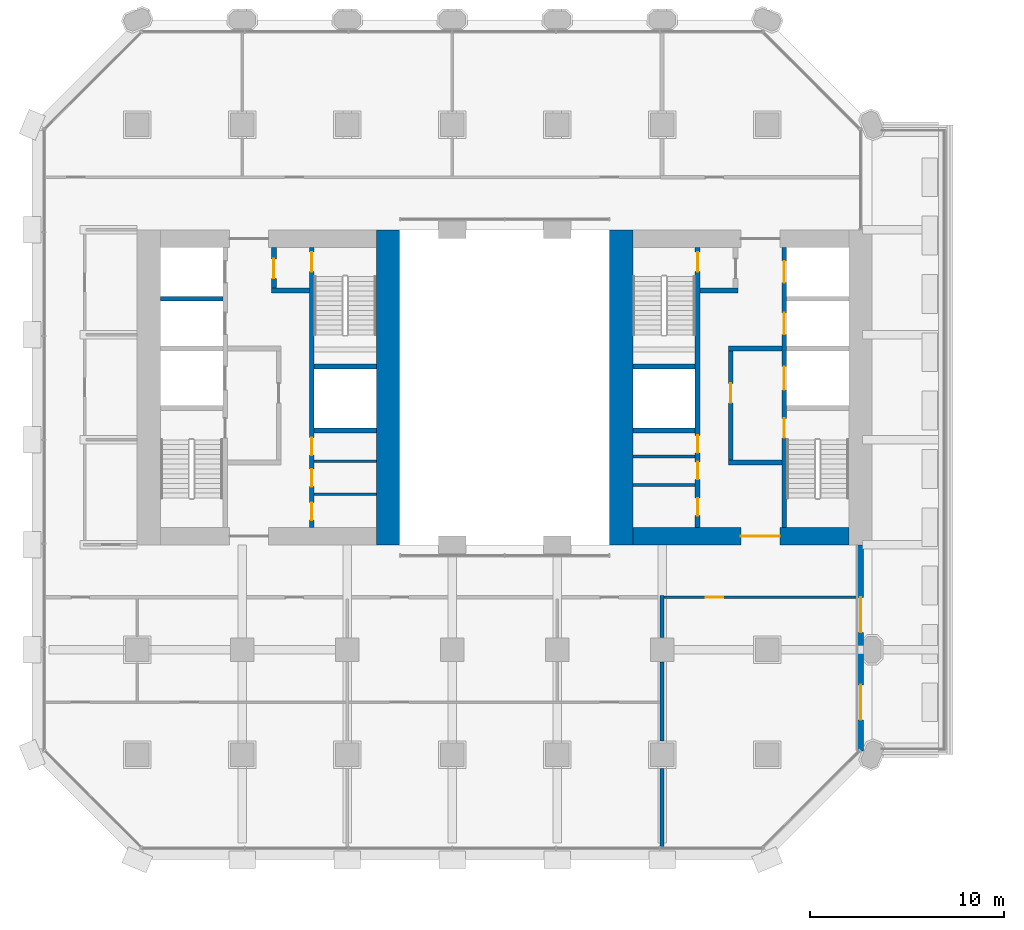
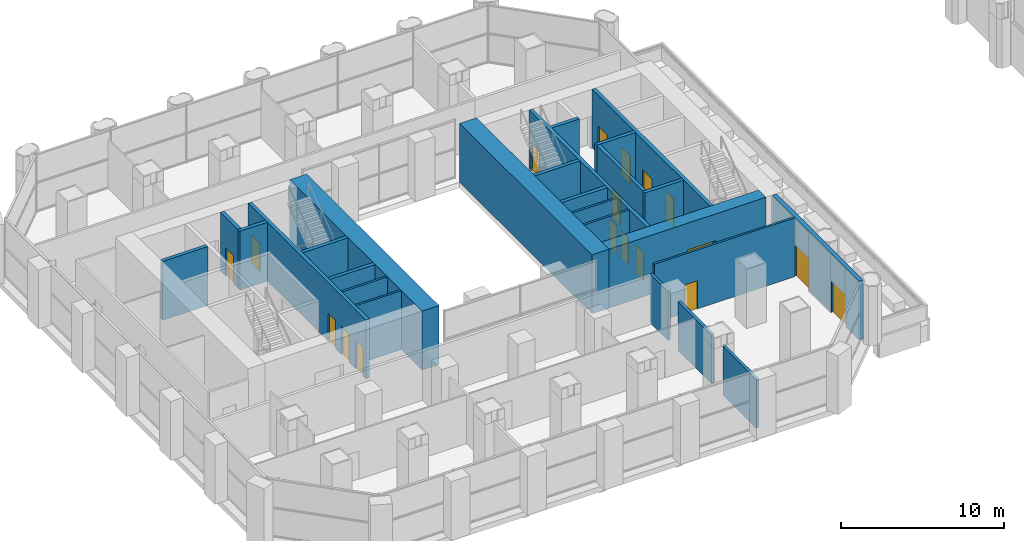
# One storey, part 28 of 42: 26 walls, 18 doors, 18 openings.
"""IFC4 building model written with IfcOpenShell, lengths in metres."""

from ifc_helpers import new_model, si_unit, direction, frame, frame_2d, origin, place, context, subcontext, project, spatial, rectangle, extrude, material, layer, layer_set, type_object, element, fill, save


model = new_model("IFC4")

# Units and contexts
model_context = context("Model", 3, precision=1e-05, world=origin(), true_north=direction((0.0, 1.0)))
body_context = subcontext(model_context, "Body", "Model", "MODEL_VIEW")
ifc_project = project(units=[si_unit("LENGTHUNIT", "METRE"), si_unit("AREAUNIT", "SQUARE_METRE"), si_unit("VOLUMEUNIT", "CUBIC_METRE"), si_unit("PLANEANGLEUNIT", "RADIAN"), si_unit("MASSUNIT", "GRAM", prefix="KILO")], contexts=[model_context])

# Site, building, storey
site_placement = place(None, origin())
site = spatial("IfcSite", under=ifc_project, at=site_placement, CompositionType="ELEMENT")
building_placement = place(site_placement, origin())
building = spatial("IfcBuilding", under=site, at=building_placement, Name="Tabaq Tower and Sports Hall", CompositionType="ELEMENT")
storey_placement = place(building_placement, frame((0.0, 0.0, 19.800048828125)))
storey = spatial("IfcBuildingStorey", under=building, at=storey_placement, Name="L03", CompositionType="ELEMENT", Elevation=19.800048828125)

# Walls
ifc_material_1 = material(Name="Blockwork", Category="masonry")
ifc_layer_1 = layer(ifc_material_1, 0.14990234375)
ifc_layer_set_1 = layer_set([ifc_layer_1], Name="Core room partition 150 Blockwork")
wall_type_1 = type_object("IfcWallType", Name="Core room partition 150 Blockwork", PredefinedType="PARTITIONING", material=ifc_layer_set_1)
for number, where, z_axis, x_axis, name in (
    (1, (14.5, 18.797119140625, 0.0), (0.0, 0.0, 1.0), (1.0, 0.0, 0.0), "Core room partition W L03"),
    (2, (14.5, 20.493896484375, 0.0), (0.0, 0.0, 1.0), (1.0, 0.0, 0.0), "Core room partition W L03"),
):
    element("IfcWall", number, at=place(storey_placement, frame(where, z_axis=z_axis, x_axis=x_axis)), inside=storey, type_object=wall_type_1, Name=name, PredefinedType="PARTITIONING", context=body_context, shape_type="SweptSolid", body=[
        extrude(rectangle(XDim=3.199951171875, YDim=0.14990234375, at=frame_2d((1.60009765625, 0.0))), origin(), (0.0, 0.0, 1.0), 4.39990234375),
    ])
for number, where, z_axis, x_axis, name in (
    (3, (30.89990234375, 19.282958984375, 0.0), (0.0, 0.0, 1.0), (1.0, 0.0, 0.0), "Core room partition E L03"),
    (4, (30.89990234375, 20.738037109375, 0.0), (0.0, 0.0, 1.0), (1.0, 0.0, 0.0), "Core room partition E L03"),
):
    element("IfcWall", number, at=place(storey_placement, frame(where, z_axis=z_axis, x_axis=x_axis)), inside=storey, type_object=wall_type_1, Name=name, PredefinedType="PARTITIONING", context=body_context, shape_type="SweptSolid", body=[
        extrude(rectangle(XDim=3.2001953125, YDim=0.14990234375, at=frame_2d((1.60009765625, 0.0))), origin(), (0.0, 0.0, 1.0), 4.39990234375),
    ])
ifc_material_2 = material(Name="Concrete C60/75", Category="concrete")
ifc_layer_2 = layer(ifc_material_2, 1.199951171875)
ifc_layer_set_2 = layer_set([ifc_layer_2], Name="Core wall 1200 Concrete C60/75")
wall_type_2 = type_object("IfcWallType", Name="Core wall 1200 Concrete C60/75", PredefinedType="SOLIDWALL", material=ifc_layer_set_2)
for number, where, z_axis, x_axis, name in (
    (5, (18.300048828125, 32.39990234375, 0.0), (0.0, 0.0, 1.0), (0.0, -1.0, 0.0), "Core wall W L03"),
    (6, (30.300048828125, 16.199951171875, 0.0), (0.0, 0.0, 1.0), (0.0, 1.0, 0.0), "Core wall E L03"),
):
    element("IfcWall", number, at=place(storey_placement, frame(where, z_axis=z_axis, x_axis=x_axis)), inside=storey, type_object=wall_type_2, Name=name, PredefinedType="SOLIDWALL", context=body_context, shape_type="SweptSolid", body=[
        extrude(rectangle(XDim=16.199951171875, YDim=1.199951171875, at=frame_2d((8.10009765625, 0.0))), origin(), (0.0, 0.0, 1.0), 4.39990234375),
    ])

# Wall, opening, door
ifc_material_3 = material(Name="Concrete C60/75", Category="concrete")
ifc_layer_3 = layer(ifc_material_3, 0.89990234375)
ifc_layer_set_3 = layer_set([ifc_layer_3], Name="Core wall 900 Concrete C60/75")
wall_type_3 = type_object("IfcWallType", Name="Core wall 900 Concrete C60/75", PredefinedType="SOLIDWALL", material=ifc_layer_set_3)
wall_1_placement = place(storey_placement, frame((42.0, 16.64990234375, 0.0), z_axis=(0.0, 0.0, 1.0), x_axis=(-1.0, 0.0, 0.0)))
wall_1 = element("IfcWall", 7, at=wall_1_placement, inside=storey, type_object=wall_type_3, Name="Core wall E L03", PredefinedType="SOLIDWALL", context=body_context, shape_type="SweptSolid", body=[
    extrude(rectangle(XDim=11.10009765625, YDim=0.89990234375, at=frame_2d((5.550048828125, 0.0))), origin(), (0.0, 0.0, 1.0), 4.39990234375),
])
opening_1_placement = place(wall_1_placement, frame((3.550048828125, 0.0, 0.0)))
opening_1 = element("IfcOpeningElement", 8, at=opening_1_placement, cuts=wall_1, Name="Opening PD-EL03-01", PredefinedType="OPENING", context=body_context, shape_type="SweptSolid", body=[
    extrude(rectangle(XDim=2.0, YDim=2.39990234375, at=frame_2d((1.0, 1.199951171875))), frame((0.0, 0.449951171875, 0.0), z_axis=(0.0, -1.0, 0.0), x_axis=(1.0, 0.0, 0.0)), (0.0, 0.0, 1.0), 0.89990234375),
])
ifc_material_4 = material(Name="Steel fire door", Category="steel")
door_type_1 = type_object("IfcDoorType", Name="Core entrance door 2000", OperationType="DOUBLE_DOOR_SINGLE_SWING", PredefinedType="DOOR", material=ifc_material_4)
door_1_placement = place(opening_1_placement, origin())
door_1 = element("IfcDoor", 9, at=door_1_placement, inside=storey, type_object=door_type_1, Name="Core entrance south E L03", OperationType="DOUBLE_DOOR_SINGLE_SWING", OverallHeight=2.39990234375, OverallWidth=2.0, PredefinedType="DOOR", context=body_context, shape_type="SweptSolid", body=[
    extrude(rectangle(XDim=2.0, YDim=2.39990234375, at=frame_2d((1.0, 1.199951171875))), frame((0.0, 0.02490234375, 0.0), z_axis=(0.0, -1.0, 0.0), x_axis=(1.0, 0.0, 0.0)), (0.0, 0.0, 1.0), 0.050048828125),
])
fill(opening_1, door_1)

# Walls
ifc_material_5 = material(Name="Blockwork", Category="masonry")
ifc_layer_4 = layer(ifc_material_5, 0.199951171875)
ifc_layer_set_4 = layer_set([ifc_layer_4], Name="Fire compartment wall 200 Blockwork")
wall_type_4 = type_object("IfcWallType", Name="Fire compartment wall 200 Blockwork", PredefinedType="PARTITIONING", material=ifc_layer_set_4)
wall_2_placement = place(storey_placement, frame((32.39990234375, 13.60009765625, 0.0), z_axis=(0.0, 0.0, 1.0), x_axis=(0.0, -1.0, 0.0)))
element("IfcWall", 10, at=wall_2_placement, inside=storey, type_object=wall_type_4, Name="Compartment wall L03", PredefinedType="PARTITIONING", context=body_context, shape_type="SweptSolid", body=[
    extrude(rectangle(XDim=2.18017578125, YDim=0.199951171875, at=frame_2d((1.090087890625, 0.0))), origin(), (0.0, 0.0, 1.0), 3.64990234375),
])
wall_3_placement = place(storey_placement, frame((32.39990234375, 10.179931640625, 0.0), z_axis=(0.0, 0.0, 1.0), x_axis=(0.0, -1.0, 0.0)))
element("IfcWall", 11, at=wall_3_placement, inside=storey, type_object=wall_type_4, Name="Compartment wall L03", PredefinedType="PARTITIONING", context=body_context, shape_type="SweptSolid", body=[
    extrude(rectangle(XDim=4.079345703125, YDim=0.199951171875, at=frame_2d((2.03955078125, 0.0))), origin(), (0.0, 0.0, 1.0), 3.64990234375),
])
wall_4_placement = place(storey_placement, frame((32.39990234375, 4.69921875, 0.0), z_axis=(0.0, 0.0, 1.0), x_axis=(0.0, -1.0, 0.0)))
element("IfcWall", 12, at=wall_4_placement, inside=storey, type_object=wall_type_4, Name="Compartment wall L03", PredefinedType="PARTITIONING", context=body_context, shape_type="SweptSolid", body=[
    extrude(rectangle(XDim=4.09912109375, YDim=0.199951171875, at=frame_2d((2.049560546875, 0.0))), origin(), (0.0, 0.0, 1.0), 3.64990234375),
])

# Wall, opening, door
ifc_material_6 = material(Name="Blockwork", Category="masonry")
ifc_layer_5 = layer(ifc_material_6, 0.14990234375)
ifc_layer_set_5 = layer_set([ifc_layer_5], Name="Separating wall 150 Blockwork")
wall_type_5 = type_object("IfcWallType", Name="Separating wall 150 Blockwork", PredefinedType="PARTITIONING", material=ifc_layer_set_5)
wall_5_placement = place(storey_placement, frame((42.448974609375, 13.5, 0.0), z_axis=(0.0, 0.0, 1.0), x_axis=(-1.0, 0.0, 0.0)))
wall_5 = element("IfcWall", 13, at=wall_5_placement, inside=storey, type_object=wall_type_5, Name="Separating wall L03", PredefinedType="PARTITIONING", context=body_context, shape_type="SweptSolid", body=[
    extrude(rectangle(XDim=9.948974609375, YDim=0.14990234375, at=frame_2d((4.974609375, 0.0))), origin(), (0.0, 0.0, 1.0), 4.39990234375),
])
opening_2_placement = place(wall_5_placement, frame((6.89892578125, 0.0, 0.0)))
opening_2 = element("IfcOpeningElement", 14, at=opening_2_placement, cuts=wall_5, Name="Opening L03-001", PredefinedType="OPENING", context=body_context, shape_type="SweptSolid", body=[
    extrude(rectangle(XDim=0.89990234375, YDim=2.10009765625, at=frame_2d((0.449951171875, 1.050048828125))), frame((0.0, 0.074951171875, 0.0), z_axis=(0.0, -1.0, 0.0), x_axis=(1.0, 0.0, 0.0)), (0.0, 0.0, 1.0), 0.14990234375),
])
ifc_material_7 = material(Name="Timber leaf in steel frame", Category="steel")
door_type_2 = type_object("IfcDoorType", Name="Internal door 900 right hand", OperationType="SINGLE_SWING_RIGHT", PredefinedType="DOOR", material=ifc_material_7)
door_2_placement = place(opening_2_placement, origin())
door_2 = element("IfcDoor", 15, at=door_2_placement, inside=storey, type_object=door_type_2, Name="Internal door L03-001", OperationType="SINGLE_SWING_RIGHT", OverallHeight=2.10009765625, OverallWidth=0.89990234375, PredefinedType="DOOR", context=body_context, shape_type="SweptSolid", body=[
    extrude(rectangle(XDim=0.89990234375, YDim=2.10009765625, at=frame_2d((0.449951171875, 1.050048828125))), frame((0.0, 0.02490234375, 0.0), z_axis=(0.0, -1.0, 0.0), x_axis=(1.0, 0.0, 0.0)), (0.0, 0.0, 1.0), 0.050048828125),
])
fill(opening_2, door_2)

# Wall, openings, doors
ifc_material_8 = material(Name="Concrete C40/50", Category="concrete")
ifc_layer_6 = layer(ifc_material_8, 0.25)
ifc_layer_set_6 = layer_set([ifc_layer_6], Name="Shaft and stair wall 250 Concrete C40/50")
wall_type_6 = type_object("IfcWallType", Name="Shaft and stair wall 250 Concrete C40/50", PredefinedType="SOLIDWALL", material=ifc_layer_set_6)
wall_6_placement = place(storey_placement, frame((14.375, 17.10009765625, 0.0), z_axis=(0.0, 0.0, 1.0), x_axis=(0.0, 1.0, 0.0)))
wall_6 = element("IfcWall", 16, at=wall_6_placement, inside=storey, type_object=wall_type_6, Name="Shaft wall W L03", PredefinedType="SOLIDWALL", context=body_context, shape_type="SweptSolid", body=[
    extrude(rectangle(XDim=14.39990234375, YDim=0.25, at=frame_2d((7.199951171875, 0.0))), origin(), (0.0, 0.0, 1.0), 4.39990234375),
])
opening_3_placement = place(wall_6_placement, frame((13.14990234375, 0.0, 0.0)))
opening_3 = element("IfcOpeningElement", 17, at=opening_3_placement, cuts=wall_6, Name="Opening SD-WL03-05", PredefinedType="OPENING", context=body_context, shape_type="SweptSolid", body=[
    extrude(rectangle(XDim=1.0, YDim=2.10009765625, at=frame_2d((0.5, 1.050048828125))), frame((0.0, 0.125, 0.0), z_axis=(0.0, -1.0, 0.0), x_axis=(1.0, 0.0, 0.0)), (0.0, 0.0, 1.0), 0.25),
])
opening_4_placement = place(wall_6_placement, frame((0.361083984375, 0.0, 0.0)))
opening_4 = element("IfcOpeningElement", 18, at=opening_4_placement, cuts=wall_6, Name="Opening RD-WL03-10", PredefinedType="OPENING", context=body_context, shape_type="SweptSolid", body=[
    extrude(rectangle(XDim=0.89990234375, YDim=2.10009765625, at=frame_2d((0.449951171875, 1.050048828125))), frame((0.0, 0.125, 0.0), z_axis=(0.0, -1.0, 0.0), x_axis=(1.0, 0.0, 0.0)), (0.0, 0.0, 1.0), 0.25),
])
opening_5_placement = place(wall_6_placement, frame((2.095458984375, 0.0, 0.0)))
opening_5 = element("IfcOpeningElement", 19, at=opening_5_placement, cuts=wall_6, Name="Opening RD-WL03-11", PredefinedType="OPENING", context=body_context, shape_type="SweptSolid", body=[
    extrude(rectangle(XDim=0.89990234375, YDim=2.10009765625, at=frame_2d((0.449951171875, 1.050048828125))), frame((0.0, 0.125, 0.0), z_axis=(0.0, -1.0, 0.0), x_axis=(1.0, 0.0, 0.0)), (0.0, 0.0, 1.0), 0.25),
])
opening_6_placement = place(wall_6_placement, frame((3.70947265625, 0.0, 0.0)))
opening_6 = element("IfcOpeningElement", 20, at=opening_6_placement, cuts=wall_6, Name="Opening RD-WL03-12", PredefinedType="OPENING", context=body_context, shape_type="SweptSolid", body=[
    extrude(rectangle(XDim=0.89990234375, YDim=2.10009765625, at=frame_2d((0.449951171875, 1.050048828125))), frame((0.0, 0.125, 0.0), z_axis=(0.0, -1.0, 0.0), x_axis=(1.0, 0.0, 0.0)), (0.0, 0.0, 1.0), 0.25),
])
ifc_material_9 = material(Name="Steel fire door", Category="steel")
door_type_3 = type_object("IfcDoorType", Name="Core room door 900", OperationType="SINGLE_SWING_LEFT", PredefinedType="DOOR", material=ifc_material_9)
door_3_placement = place(opening_4_placement, origin())
door_3 = element("IfcDoor", 21, at=door_3_placement, inside=storey, type_object=door_type_3, Name="Door Accessible WC W L03", OperationType="SINGLE_SWING_LEFT", OverallHeight=2.10009765625, OverallWidth=0.89990234375, PredefinedType="DOOR", context=body_context, shape_type="SweptSolid", body=[
    extrude(rectangle(XDim=0.89990234375, YDim=2.10009765625, at=frame_2d((0.449951171875, 1.050048828125))), frame((0.0, 0.02490234375, 0.0), z_axis=(0.0, -1.0, 0.0), x_axis=(1.0, 0.0, 0.0)), (0.0, 0.0, 1.0), 0.050048828125),
])
fill(opening_4, door_3)
door_4_placement = place(opening_5_placement, origin())
door_4 = element("IfcDoor", 22, at=door_4_placement, inside=storey, type_object=door_type_3, Name="Door Unisex WC W L03", OperationType="SINGLE_SWING_LEFT", OverallHeight=2.10009765625, OverallWidth=0.89990234375, PredefinedType="DOOR", context=body_context, shape_type="SweptSolid", body=[
    extrude(rectangle(XDim=0.89990234375, YDim=2.10009765625, at=frame_2d((0.449951171875, 1.050048828125))), frame((0.0, 0.02490234375, 0.0), z_axis=(0.0, -1.0, 0.0), x_axis=(1.0, 0.0, 0.0)), (0.0, 0.0, 1.0), 0.050048828125),
])
fill(opening_5, door_4)
door_5_placement = place(opening_6_placement, origin())
door_5 = element("IfcDoor", 23, at=door_5_placement, inside=storey, type_object=door_type_3, Name="Door Cleaner's Store W L03", OperationType="SINGLE_SWING_LEFT", OverallHeight=2.10009765625, OverallWidth=0.89990234375, PredefinedType="DOOR", context=body_context, shape_type="SweptSolid", body=[
    extrude(rectangle(XDim=0.89990234375, YDim=2.10009765625, at=frame_2d((0.449951171875, 1.050048828125))), frame((0.0, 0.02490234375, 0.0), z_axis=(0.0, -1.0, 0.0), x_axis=(1.0, 0.0, 0.0)), (0.0, 0.0, 1.0), 0.050048828125),
])
fill(opening_6, door_5)
ifc_material_10 = material(Name="Steel fire door", Category="steel")
door_type_4 = type_object("IfcDoorType", Name="Stair door 1000", OperationType="SINGLE_SWING_LEFT", PredefinedType="DOOR", material=ifc_material_10)
door_6_placement = place(opening_3_placement, origin())
door_6 = element("IfcDoor", 24, at=door_6_placement, inside=storey, type_object=door_type_4, Name="Stair door ST2 W L03", OperationType="SINGLE_SWING_LEFT", OverallHeight=2.10009765625, OverallWidth=1.0, PredefinedType="DOOR", context=body_context, shape_type="SweptSolid", body=[
    extrude(rectangle(XDim=1.0, YDim=2.10009765625, at=frame_2d((0.5, 1.050048828125))), frame((0.0, 0.02490234375, 0.0), z_axis=(0.0, -1.0, 0.0), x_axis=(1.0, 0.0, 0.0)), (0.0, 0.0, 1.0), 0.050048828125),
])
fill(opening_3, door_6)

# Walls
for number, where, z_axis, x_axis, name in (
    (25, (14.5, 25.375, 0.0), (0.0, 0.0, 1.0), (1.0, 0.0, 0.0), "Stair enclosure wall W L03"),
    (26, (14.5, 22.074951171875, 0.0), (0.0, 0.0, 1.0), (1.0, 0.0, 0.0), "Shaft wall W L03"),
):
    element("IfcWall", number, at=place(storey_placement, frame(where, z_axis=z_axis, x_axis=x_axis)), inside=storey, type_object=wall_type_6, Name=name, PredefinedType="SOLIDWALL", context=body_context, shape_type="SweptSolid", body=[
        extrude(rectangle(XDim=3.199951171875, YDim=0.25, at=frame_2d((1.60009765625, 0.0))), origin(), (0.0, 0.0, 1.0), 4.39990234375),
    ])

# Wall, opening, door
wall_7_placement = place(storey_placement, frame((12.425048828125, 29.39990234375, 0.0), z_axis=(0.0, 0.0, 1.0), x_axis=(0.0, 1.0, 0.0)))
wall_7 = element("IfcWall", 27, at=wall_7_placement, inside=storey, type_object=wall_type_6, Name="Fire-fighting lobby wall W L03", PredefinedType="SOLIDWALL", context=body_context, shape_type="SweptSolid", body=[
    extrude(rectangle(XDim=2.10009765625, YDim=0.25, at=frame_2d((1.050048828125, 0.0))), origin(), (0.0, 0.0, 1.0), 4.39990234375),
])
opening_7_placement = place(wall_7_placement, frame((0.5, 0.0, 0.0)))
opening_7 = element("IfcOpeningElement", 28, at=opening_7_placement, cuts=wall_7, Name="Opening FD-WL03-06", PredefinedType="OPENING", context=body_context, shape_type="SweptSolid", body=[
    extrude(rectangle(XDim=1.0, YDim=2.10009765625, at=frame_2d((0.5, 1.050048828125))), frame((0.0, 0.125, 0.0), z_axis=(0.0, -1.0, 0.0), x_axis=(1.0, 0.0, 0.0)), (0.0, 0.0, 1.0), 0.25),
])
ifc_material_11 = material(Name="Steel fire door", Category="steel")
door_type_5 = type_object("IfcDoorType", Name="Fire-fighting lobby door 1000", OperationType="SINGLE_SWING_LEFT", PredefinedType="DOOR", material=ifc_material_11)
door_7_placement = place(opening_7_placement, origin())
door_7 = element("IfcDoor", 29, at=door_7_placement, inside=storey, type_object=door_type_5, Name="Stair lobby door W L03", OperationType="SINGLE_SWING_LEFT", OverallHeight=2.10009765625, OverallWidth=1.0, PredefinedType="DOOR", context=body_context, shape_type="SweptSolid", body=[
    extrude(rectangle(XDim=1.0, YDim=2.10009765625, at=frame_2d((0.5, 1.050048828125))), frame((0.0, 0.02490234375, 0.0), z_axis=(0.0, -1.0, 0.0), x_axis=(1.0, 0.0, 0.0)), (0.0, 0.0, 1.0), 0.050048828125),
])
fill(opening_7, door_7)

# Walls
wall_8_placement = place(storey_placement, frame((12.300048828125, 29.27490234375, 0.0), z_axis=(0.0, 0.0, 1.0), x_axis=(1.0, 0.0, 0.0)))
element("IfcWall", 30, at=wall_8_placement, inside=storey, type_object=wall_type_6, Name="Fire-fighting lobby wall W L03", PredefinedType="SOLIDWALL", context=body_context, shape_type="SweptSolid", body=[
    extrude(rectangle(XDim=1.949951171875, YDim=0.25, at=frame_2d((0.97509765625, 0.0))), origin(), (0.0, 0.0, 1.0), 4.39990234375),
])
wall_9_placement = place(storey_placement, frame((6.60009765625, 28.85009765625, 0.0), z_axis=(0.0, 0.0, 1.0), x_axis=(1.0, 0.0, 0.0)))
element("IfcWall", 31, at=wall_9_placement, inside=storey, type_object=wall_type_6, Name="Shaft wall W L03", PredefinedType="SOLIDWALL", context=body_context, shape_type="SweptSolid", body=[
    extrude(rectangle(XDim=3.199951171875, YDim=0.25, at=frame_2d((1.60009765625, 0.0))), origin(), (0.0, 0.0, 1.0), 4.39990234375),
])

# Wall, openings, doors
wall_10_placement = place(storey_placement, frame((38.675048828125, 17.10009765625, 0.0), z_axis=(0.0, 0.0, 1.0), x_axis=(0.0, 1.0, 0.0)))
wall_10 = element("IfcWall", 32, at=wall_10_placement, inside=storey, type_object=wall_type_6, Name="Shaft wall E L03", PredefinedType="SOLIDWALL", context=body_context, shape_type="SweptSolid", body=[
    extrude(rectangle(XDim=14.39990234375, YDim=0.25, at=frame_2d((7.199951171875, 0.0))), origin(), (0.0, 0.0, 1.0), 4.39990234375),
])
opening_8_placement = place(wall_10_placement, frame((4.60009765625, 0.0, 0.0)))
opening_8 = element("IfcOpeningElement", 33, at=opening_8_placement, cuts=wall_10, Name="Opening SD-EL03-03", PredefinedType="OPENING", context=body_context, shape_type="SweptSolid", body=[
    extrude(rectangle(XDim=1.0, YDim=2.10009765625, at=frame_2d((0.5, 1.050048828125))), frame((0.0, 0.125, 0.0), z_axis=(0.0, -1.0, 0.0), x_axis=(1.0, 0.0, 0.0)), (0.0, 0.0, 1.0), 0.25),
])
opening_9_placement = place(wall_10_placement, frame((7.0625, 0.0, 0.0)))
opening_9 = element("IfcOpeningElement", 34, at=opening_9_placement, cuts=wall_10, Name="Opening LD-FF2-L03", PredefinedType="OPENING", context=body_context, shape_type="SweptSolid", body=[
    extrude(rectangle(XDim=1.199951171875, YDim=2.10009765625, at=frame_2d((0.60009765625, 1.050048828125))), frame((0.0, 0.125, 0.0), z_axis=(0.0, -1.0, 0.0), x_axis=(1.0, 0.0, 0.0)), (0.0, 0.0, 1.0), 0.25),
])
opening_10_placement = place(wall_10_placement, frame((9.925048828125, 0.0, 0.0)))
opening_10 = element("IfcOpeningElement", 35, at=opening_10_placement, cuts=wall_10, Name="Opening LD-LR3-L03", PredefinedType="OPENING", context=body_context, shape_type="SweptSolid", body=[
    extrude(rectangle(XDim=1.10009765625, YDim=2.10009765625, at=frame_2d((0.550048828125, 1.050048828125))), frame((0.0, 0.125, 0.0), z_axis=(0.0, -1.0, 0.0), x_axis=(1.0, 0.0, 0.0)), (0.0, 0.0, 1.0), 0.25),
])
opening_11_placement = place(wall_10_placement, frame((12.58740234375, 0.0, 0.0)))
opening_11 = element("IfcOpeningElement", 36, at=opening_11_placement, cuts=wall_10, Name="Opening LD-LR4-L03", PredefinedType="OPENING", context=body_context, shape_type="SweptSolid", body=[
    extrude(rectangle(XDim=1.10009765625, YDim=2.10009765625, at=frame_2d((0.550048828125, 1.050048828125))), frame((0.0, 0.125, 0.0), z_axis=(0.0, -1.0, 0.0), x_axis=(1.0, 0.0, 0.0)), (0.0, 0.0, 1.0), 0.25),
])
ifc_material_12 = material(Name="Stainless steel", Category="steel")
door_type_6 = type_object("IfcDoorType", Name="Lift landing door 1100", OperationType="DOUBLE_DOOR_SLIDING", PredefinedType="DOOR", material=ifc_material_12)
door_8_placement = place(opening_10_placement, origin())
door_8 = element("IfcDoor", 37, at=door_8_placement, inside=storey, type_object=door_type_6, Name="Lift landing door LR3 E L03", OperationType="DOUBLE_DOOR_SLIDING", OverallHeight=2.10009765625, OverallWidth=1.10009765625, PredefinedType="DOOR", context=body_context, shape_type="SweptSolid", body=[
    extrude(rectangle(XDim=1.10009765625, YDim=2.10009765625, at=frame_2d((0.550048828125, 1.050048828125))), frame((0.0, 0.02490234375, 0.0), z_axis=(0.0, -1.0, 0.0), x_axis=(1.0, 0.0, 0.0)), (0.0, 0.0, 1.0), 0.050048828125),
])
fill(opening_10, door_8)
door_9_placement = place(opening_11_placement, origin())
door_9 = element("IfcDoor", 38, at=door_9_placement, inside=storey, type_object=door_type_6, Name="Lift landing door LR4 E L03", OperationType="DOUBLE_DOOR_SLIDING", OverallHeight=2.10009765625, OverallWidth=1.10009765625, PredefinedType="DOOR", context=body_context, shape_type="SweptSolid", body=[
    extrude(rectangle(XDim=1.10009765625, YDim=2.10009765625, at=frame_2d((0.550048828125, 1.050048828125))), frame((0.0, 0.02490234375, 0.0), z_axis=(0.0, -1.0, 0.0), x_axis=(1.0, 0.0, 0.0)), (0.0, 0.0, 1.0), 0.050048828125),
])
fill(opening_11, door_9)
ifc_material_13 = material(Name="Stainless steel", Category="steel")
door_type_7 = type_object("IfcDoorType", Name="Lift landing door 1200", OperationType="DOUBLE_DOOR_SLIDING", PredefinedType="DOOR", material=ifc_material_13)
door_10_placement = place(opening_9_placement, origin())
door_10 = element("IfcDoor", 39, at=door_10_placement, inside=storey, type_object=door_type_7, Name="Lift landing door FF2 E L03", OperationType="DOUBLE_DOOR_SLIDING", OverallHeight=2.10009765625, OverallWidth=1.199951171875, PredefinedType="DOOR", context=body_context, shape_type="SweptSolid", body=[
    extrude(rectangle(XDim=1.199951171875, YDim=2.10009765625, at=frame_2d((0.60009765625, 1.050048828125))), frame((0.0, 0.02490234375, 0.0), z_axis=(0.0, -1.0, 0.0), x_axis=(1.0, 0.0, 0.0)), (0.0, 0.0, 1.0), 0.050048828125),
])
fill(opening_9, door_10)
door_11_placement = place(opening_8_placement, origin())
door_11 = element("IfcDoor", 40, at=door_11_placement, inside=storey, type_object=door_type_4, Name="Stair door ST3 E L03", OperationType="SINGLE_SWING_LEFT", OverallHeight=2.10009765625, OverallWidth=1.0, PredefinedType="DOOR", context=body_context, shape_type="SweptSolid", body=[
    extrude(rectangle(XDim=1.0, YDim=2.10009765625, at=frame_2d((0.5, 1.050048828125))), frame((0.0, 0.02490234375, 0.0), z_axis=(0.0, -1.0, 0.0), x_axis=(1.0, 0.0, 0.0)), (0.0, 0.0, 1.0), 0.050048828125),
])
fill(opening_8, door_11)

wall_11_placement = place(storey_placement, frame((34.22509765625, 17.10009765625, 0.0), z_axis=(0.0, 0.0, 1.0), x_axis=(0.0, 1.0, 0.0)))
wall_11 = element("IfcWall", 41, at=wall_11_placement, inside=storey, type_object=wall_type_6, Name="Shaft wall E L03", PredefinedType="SOLIDWALL", context=body_context, shape_type="SweptSolid", body=[
    extrude(rectangle(XDim=14.39990234375, YDim=0.25, at=frame_2d((7.199951171875, 0.0))), origin(), (0.0, 0.0, 1.0), 4.39990234375),
])
opening_12_placement = place(wall_11_placement, frame((13.14990234375, 0.0, 0.0)))
opening_12 = element("IfcOpeningElement", 42, at=opening_12_placement, cuts=wall_11, Name="Opening SD-EL03-05", PredefinedType="OPENING", context=body_context, shape_type="SweptSolid", body=[
    extrude(rectangle(XDim=1.0, YDim=2.10009765625, at=frame_2d((0.5, 1.050048828125))), frame((0.0, 0.125, 0.0), z_axis=(0.0, -1.0, 0.0), x_axis=(1.0, 0.0, 0.0)), (0.0, 0.0, 1.0), 0.25),
])
opening_13_placement = place(wall_11_placement, frame((0.60400390625, 0.0, 0.0)))
opening_13 = element("IfcOpeningElement", 43, at=opening_13_placement, cuts=wall_11, Name="Opening RD-EL03-10", PredefinedType="OPENING", context=body_context, shape_type="SweptSolid", body=[
    extrude(rectangle(XDim=0.89990234375, YDim=2.10009765625, at=frame_2d((0.449951171875, 1.050048828125))), frame((0.0, 0.125, 0.0), z_axis=(0.0, -1.0, 0.0), x_axis=(1.0, 0.0, 0.0)), (0.0, 0.0, 1.0), 0.25),
])
opening_14_placement = place(wall_11_placement, frame((2.46044921875, 0.0, 0.0)))
opening_14 = element("IfcOpeningElement", 44, at=opening_14_placement, cuts=wall_11, Name="Opening RD-EL03-11", PredefinedType="OPENING", context=body_context, shape_type="SweptSolid", body=[
    extrude(rectangle(XDim=0.89990234375, YDim=2.10009765625, at=frame_2d((0.449951171875, 1.050048828125))), frame((0.0, 0.125, 0.0), z_axis=(0.0, -1.0, 0.0), x_axis=(1.0, 0.0, 0.0)), (0.0, 0.0, 1.0), 0.25),
])
opening_15_placement = place(wall_11_placement, frame((3.83154296875, 0.0, 0.0)))
opening_15 = element("IfcOpeningElement", 45, at=opening_15_placement, cuts=wall_11, Name="Opening RD-EL03-12", PredefinedType="OPENING", context=body_context, shape_type="SweptSolid", body=[
    extrude(rectangle(XDim=0.89990234375, YDim=2.10009765625, at=frame_2d((0.449951171875, 1.050048828125))), frame((0.0, 0.125, 0.0), z_axis=(0.0, -1.0, 0.0), x_axis=(1.0, 0.0, 0.0)), (0.0, 0.0, 1.0), 0.25),
])
door_12_placement = place(opening_13_placement, origin())
door_12 = element("IfcDoor", 46, at=door_12_placement, inside=storey, type_object=door_type_3, Name="Door Unisex WC E L03", OperationType="SINGLE_SWING_LEFT", OverallHeight=2.10009765625, OverallWidth=0.89990234375, PredefinedType="DOOR", context=body_context, shape_type="SweptSolid", body=[
    extrude(rectangle(XDim=0.89990234375, YDim=2.10009765625, at=frame_2d((0.449951171875, 1.050048828125))), frame((0.0, 0.02490234375, 0.0), z_axis=(0.0, -1.0, 0.0), x_axis=(1.0, 0.0, 0.0)), (0.0, 0.0, 1.0), 0.050048828125),
])
fill(opening_13, door_12)
door_13_placement = place(opening_14_placement, origin())
door_13 = element("IfcDoor", 47, at=door_13_placement, inside=storey, type_object=door_type_3, Name="Door Accessible WC E L03", OperationType="SINGLE_SWING_LEFT", OverallHeight=2.10009765625, OverallWidth=0.89990234375, PredefinedType="DOOR", context=body_context, shape_type="SweptSolid", body=[
    extrude(rectangle(XDim=0.89990234375, YDim=2.10009765625, at=frame_2d((0.449951171875, 1.050048828125))), frame((0.0, 0.02490234375, 0.0), z_axis=(0.0, -1.0, 0.0), x_axis=(1.0, 0.0, 0.0)), (0.0, 0.0, 1.0), 0.050048828125),
])
fill(opening_14, door_13)
door_14_placement = place(opening_15_placement, origin())
door_14 = element("IfcDoor", 48, at=door_14_placement, inside=storey, type_object=door_type_3, Name="Door Electrical Riser Room E L03", OperationType="SINGLE_SWING_LEFT", OverallHeight=2.10009765625, OverallWidth=0.89990234375, PredefinedType="DOOR", context=body_context, shape_type="SweptSolid", body=[
    extrude(rectangle(XDim=0.89990234375, YDim=2.10009765625, at=frame_2d((0.449951171875, 1.050048828125))), frame((0.0, 0.02490234375, 0.0), z_axis=(0.0, -1.0, 0.0), x_axis=(1.0, 0.0, 0.0)), (0.0, 0.0, 1.0), 0.050048828125),
])
fill(opening_15, door_14)
door_15_placement = place(opening_12_placement, origin())
door_15 = element("IfcDoor", 49, at=door_15_placement, inside=storey, type_object=door_type_4, Name="Stair door ST4 E L03", OperationType="SINGLE_SWING_LEFT", OverallHeight=2.10009765625, OverallWidth=1.0, PredefinedType="DOOR", context=body_context, shape_type="SweptSolid", body=[
    extrude(rectangle(XDim=1.0, YDim=2.10009765625, at=frame_2d((0.5, 1.050048828125))), frame((0.0, 0.02490234375, 0.0), z_axis=(0.0, -1.0, 0.0), x_axis=(1.0, 0.0, 0.0)), (0.0, 0.0, 1.0), 0.050048828125),
])
fill(opening_12, door_15)

# Walls
for number, where, z_axis, x_axis, name in (
    (50, (30.89990234375, 25.375, 0.0), (0.0, 0.0, 1.0), (1.0, 0.0, 0.0), "Stair enclosure wall E L03"),
    (51, (30.89990234375, 22.074951171875, 0.0), (0.0, 0.0, 1.0), (1.0, 0.0, 0.0), "Shaft wall E L03"),
):
    element("IfcWall", number, at=place(storey_placement, frame(where, z_axis=z_axis, x_axis=x_axis)), inside=storey, type_object=wall_type_6, Name=name, PredefinedType="SOLIDWALL", context=body_context, shape_type="SweptSolid", body=[
        extrude(rectangle(XDim=3.2001953125, YDim=0.25, at=frame_2d((1.60009765625, 0.0))), origin(), (0.0, 0.0, 1.0), 4.39990234375),
    ])
for number, where, z_axis, x_axis, name in (
    (52, (35.800048828125, 26.300048828125, 0.0), (0.0, 0.0, 1.0), (1.0, 0.0, 0.0), "Fire-fighting lobby wall E L03"),
    (53, (35.800048828125, 20.425048828125, 0.0), (0.0, 0.0, 1.0), (1.0, 0.0, 0.0), "Fire-fighting lobby wall E L03"),
):
    element("IfcWall", number, at=place(storey_placement, frame(where, z_axis=z_axis, x_axis=x_axis)), inside=storey, type_object=wall_type_6, Name=name, PredefinedType="SOLIDWALL", context=body_context, shape_type="SweptSolid", body=[
        extrude(rectangle(XDim=2.75, YDim=0.25, at=frame_2d((1.375, 0.0))), origin(), (0.0, 0.0, 1.0), 4.39990234375),
    ])
wall_12_placement = place(storey_placement, frame((34.35009765625, 29.27490234375, 0.0), z_axis=(0.0, 0.0, 1.0), x_axis=(1.0, 0.0, 0.0)))
element("IfcWall", 54, at=wall_12_placement, inside=storey, type_object=wall_type_6, Name="Fire-fighting lobby wall E L03", PredefinedType="SOLIDWALL", context=body_context, shape_type="SweptSolid", body=[
    extrude(rectangle(XDim=1.949951171875, YDim=0.25, at=frame_2d((0.97509765625, 0.0))), origin(), (0.0, 0.0, 1.0), 4.39990234375),
])

# Wall, opening, door
wall_13_placement = place(storey_placement, frame((35.925048828125, 20.550048828125, 0.0), z_axis=(0.0, 0.0, 1.0), x_axis=(0.0, 1.0, 0.0)))
wall_13 = element("IfcWall", 55, at=wall_13_placement, inside=storey, type_object=wall_type_6, Name="Fire-fighting lobby wall E L03", PredefinedType="SOLIDWALL", context=body_context, shape_type="SweptSolid", body=[
    extrude(rectangle(XDim=5.625, YDim=0.25, at=frame_2d((2.8125, 0.0))), origin(), (0.0, 0.0, 1.0), 4.39990234375),
])
opening_16_placement = place(wall_13_placement, frame((2.949951171875, 0.0, 0.0)))
opening_16 = element("IfcOpeningElement", 56, at=opening_16_placement, cuts=wall_13, Name="Opening FD-EL03-04", PredefinedType="OPENING", context=body_context, shape_type="SweptSolid", body=[
    extrude(rectangle(XDim=1.0, YDim=2.10009765625, at=frame_2d((0.5, 1.050048828125))), frame((0.0, 0.125, 0.0), z_axis=(0.0, -1.0, 0.0), x_axis=(1.0, 0.0, 0.0)), (0.0, 0.0, 1.0), 0.25),
])
door_16_placement = place(opening_16_placement, origin())
door_16 = element("IfcDoor", 57, at=door_16_placement, inside=storey, type_object=door_type_5, Name="Fire-fighting lobby door E L03", OperationType="SINGLE_SWING_LEFT", OverallHeight=2.10009765625, OverallWidth=1.0, PredefinedType="DOOR", context=body_context, shape_type="SweptSolid", body=[
    extrude(rectangle(XDim=1.0, YDim=2.10009765625, at=frame_2d((0.5, 1.050048828125))), frame((0.0, 0.02490234375, 0.0), z_axis=(0.0, -1.0, 0.0), x_axis=(1.0, 0.0, 0.0)), (0.0, 0.0, 1.0), 0.050048828125),
])
fill(opening_16, door_16)

# Wall, openings, doors
ifc_material_14 = material(Name="White precast concrete C60/75", Category="concrete")
ifc_layer_7 = layer(ifc_material_14, 0.300048828125)
ifc_layer_set_7 = layer_set([ifc_layer_7], Name="White precast concrete C60/75 external wall 300")
wall_type_7 = type_object("IfcWallType", Name="White precast concrete C60/75 external wall 300", PredefinedType="SOLIDWALL", material=ifc_layer_set_7)
wall_14_placement = place(storey_placement, frame((42.60009765625, 5.58642578125, 0.0), z_axis=(0.0, 0.0, 1.0), x_axis=(0.0, 1.0, 0.0)))
wall_14 = element("IfcWall", 58, at=wall_14_placement, inside=storey, type_object=wall_type_7, Name="External Wall L03 E", PredefinedType="SOLIDWALL", context=body_context, shape_type="SweptSolid", body=[
    extrude(rectangle(XDim=10.613525390625, YDim=0.300048828125, at=frame_2d((5.306640625, 0.0))), origin(), (0.0, 0.0, 1.0), 4.39990234375),
])
opening_17_placement = place(wall_14_placement, frame((1.613525390625, 0.0, 0.0)))
opening_17 = element("IfcOpeningElement", 59, at=opening_17_placement, cuts=wall_14, Name="Opening TD0301", PredefinedType="OPENING", context=body_context, shape_type="SweptSolid", body=[
    extrude(rectangle(XDim=1.800048828125, YDim=2.39990234375, at=frame_2d((0.89990234375, 1.199951171875))), frame((0.0, 0.16015625, 0.0), z_axis=(0.0, -1.0, 0.0), x_axis=(1.0, 0.0, 0.0)), (0.0, 0.0, 1.0), 0.320068359375),
])
opening_18_placement = place(wall_14_placement, frame((6.113525390625, 0.0, 0.0)))
opening_18 = element("IfcOpeningElement", 60, at=opening_18_placement, cuts=wall_14, Name="Opening TD0302", PredefinedType="OPENING", context=body_context, shape_type="SweptSolid", body=[
    extrude(rectangle(XDim=1.800048828125, YDim=2.39990234375, at=frame_2d((0.89990234375, 1.199951171875))), frame((0.0, 0.16015625, 0.0), z_axis=(0.0, -1.0, 0.0), x_axis=(1.0, 0.0, 0.0)), (0.0, 0.0, 1.0), 0.320068359375),
])
ifc_material_15 = material(Name="Aluminium framed clear glazing", Category="aluminium")
door_type_8 = type_object("IfcDoorType", Name="Terrace door TD1", OperationType="DOUBLE_DOOR_DOUBLE_SWING", PredefinedType="DOOR", material=ifc_material_15)
door_17_placement = place(opening_17_placement, origin())
door_17 = element("IfcDoor", 61, at=door_17_placement, inside=storey, type_object=door_type_8, Name="Terrace door TD0301", OperationType="DOUBLE_DOOR_DOUBLE_SWING", OverallHeight=2.39990234375, OverallWidth=1.800048828125, PredefinedType="DOOR", context=body_context, shape_type="SweptSolid", body=[
    extrude(rectangle(XDim=1.800048828125, YDim=2.39990234375, at=frame_2d((0.89990234375, 1.199951171875))), frame((0.0, 0.02490234375, 0.0), z_axis=(0.0, -1.0, 0.0), x_axis=(1.0, 0.0, 0.0)), (0.0, 0.0, 1.0), 0.050048828125),
])
fill(opening_17, door_17)
door_18_placement = place(opening_18_placement, origin())
door_18 = element("IfcDoor", 62, at=door_18_placement, inside=storey, type_object=door_type_8, Name="Terrace door TD0302", OperationType="DOUBLE_DOOR_DOUBLE_SWING", OverallHeight=2.39990234375, OverallWidth=1.800048828125, PredefinedType="DOOR", context=body_context, shape_type="SweptSolid", body=[
    extrude(rectangle(XDim=1.800048828125, YDim=2.39990234375, at=frame_2d((0.89990234375, 1.199951171875))), frame((0.0, 0.02490234375, 0.0), z_axis=(0.0, -1.0, 0.0), x_axis=(1.0, 0.0, 0.0)), (0.0, 0.0, 1.0), 0.050048828125),
])
fill(opening_18, door_18)

save(model, "model.ifc")
